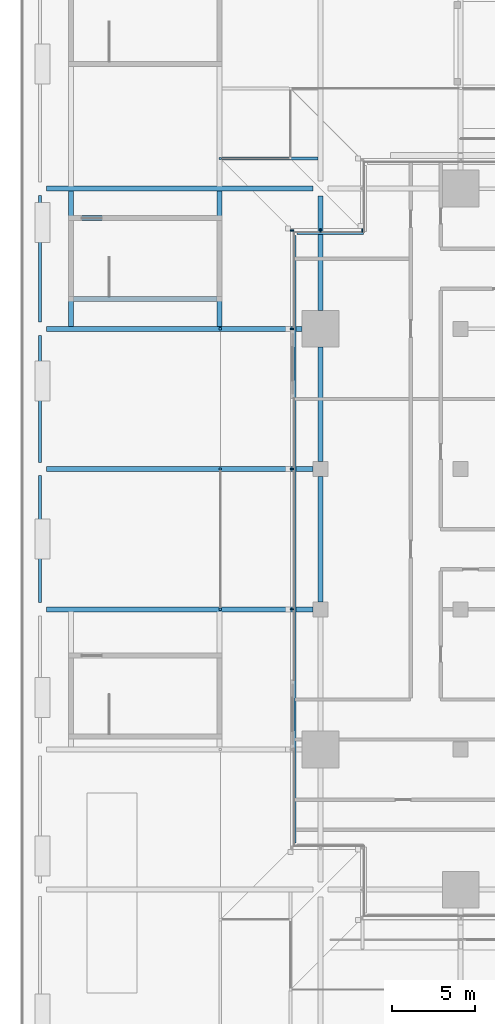
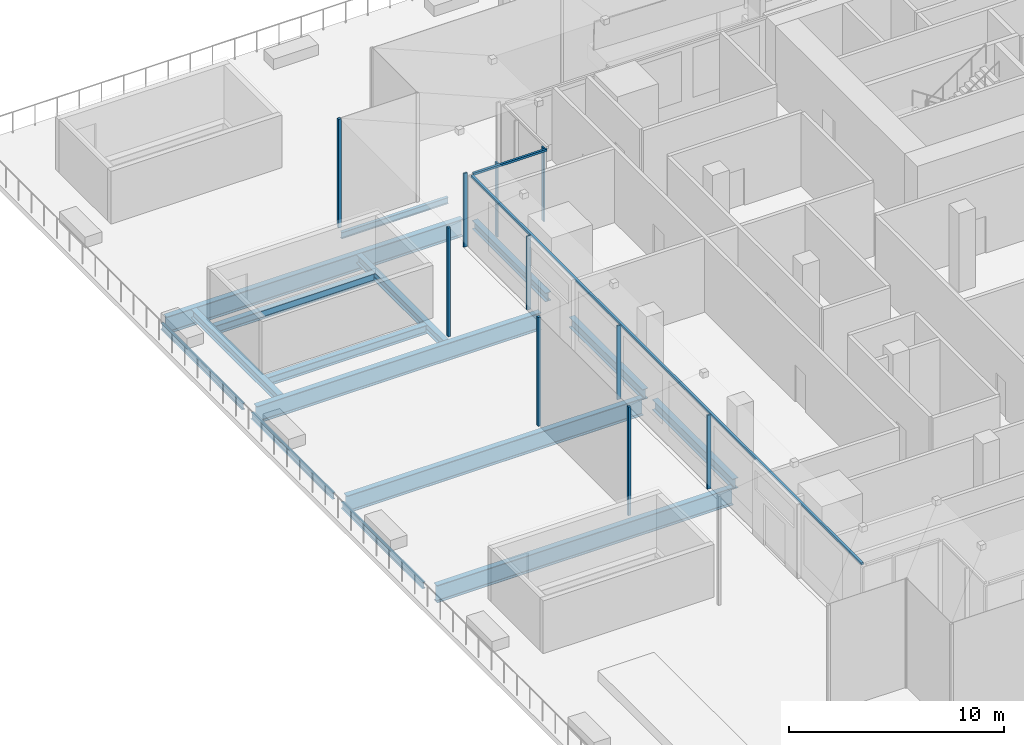
# One storey, part 7 of 60: 15 beams, 12 members, 2 elements without a shape of their own.
"""IFC4 building model written with IfcOpenShell, lengths in metres."""

from ifc_helpers import new_model, si_unit, direction, frame, origin, origin_2d, place, context, subcontext, project, spatial, rectangle, i_section, extrude, material, material_profile, profile_set, type_object, element, aggregate, save


model = new_model("IFC4")

# Units and contexts
model_context = context("Model", 3, precision=1e-05, world=origin(), true_north=direction((0.0, 1.0)))
body_context = subcontext(model_context, "Body", "Model", "MODEL_VIEW")
ifc_project = project(units=[si_unit("LENGTHUNIT", "METRE"), si_unit("AREAUNIT", "SQUARE_METRE"), si_unit("VOLUMEUNIT", "CUBIC_METRE"), si_unit("PLANEANGLEUNIT", "RADIAN"), si_unit("MASSUNIT", "GRAM", prefix="KILO")], contexts=[model_context])

# Site, building, storey
site_placement = place(None, origin())
site = spatial("IfcSite", under=ifc_project, at=site_placement, CompositionType="ELEMENT")
building_placement = place(site_placement, origin())
building = spatial("IfcBuilding", under=site, at=building_placement, Name="Saffron Gate Tower", CompositionType="ELEMENT")
storey_placement = place(building_placement, frame((0.0, 0.0, 19.199951171875)))
storey = spatial("IfcBuildingStorey", under=building, at=storey_placement, Name="L03", CompositionType="ELEMENT", Elevation=19.199951171875)

# Beams
ifc_material_1 = material(Name="Structural steel S355", Category="steel")
ifc_material_profile_1 = material_profile(ifc_material_1, i_section(OverallWidth=0.169921875, OverallDepth=0.360107421875, WebThickness=0.008056640625, FlangeThickness=0.0126953125, FilletRadius=0.01806640625, at=origin_2d()))
ifc_profile_set_1 = profile_set([ifc_material_profile_1], Name="Structural steel S355")
beam_type_1 = type_object("IfcBeamType", Name="B1 IPE 360", PredefinedType="BEAM", material=ifc_profile_set_1)
for number, where, z_axis, x_axis, name in (
    (1, (33.0, 49.0, -0.47998046875), (0.0, 1.0, 0.0), (-1.0, 0.0, 0.0), "B1 PODIUM EDGE BEAM"),
    (2, (33.0, 57.39990234375, -0.47998046875), (0.0, 1.0, 0.0), (-1.0, 0.0, 0.0), "B1 PODIUM EDGE BEAM"),
):
    element("IfcBeam", number, at=place(storey_placement, frame(where, z_axis=z_axis, x_axis=x_axis)), inside=storey, type_object=beam_type_1, Name=name, PredefinedType="BEAM", context=body_context, shape_type="SweptSolid", body=[
        extrude(i_section(OverallWidth=0.169921875, OverallDepth=0.360107421875, WebThickness=0.008056640625, FlangeThickness=0.0126953125, FilletRadius=0.01806640625, at=origin_2d()), origin(), (0.0, 0.0, 1.0), 7.60009765625),
    ])
beam_1_placement = place(storey_placement, frame((33.0, 65.800048828125, -0.47998046875), z_axis=(0.0, 1.0, 0.0), x_axis=(-1.0, 0.0, 0.0)))
element("IfcBeam", 3, at=beam_1_placement, inside=storey, type_object=beam_type_1, Name="B1 PODIUM EDGE BEAM", PredefinedType="BEAM", context=body_context, shape_type="SweptSolid", body=[
    extrude(i_section(OverallWidth=0.169921875, OverallDepth=0.360107421875, WebThickness=0.008056640625, FlangeThickness=0.0126953125, FilletRadius=0.01806640625, at=origin_2d()), origin(), (0.0, 0.0, 1.0), 7.599853515625),
])
ifc_material_profile_2 = material_profile(ifc_material_1, i_section(OverallWidth=0.300048828125, OverallDepth=0.590087890625, WebThickness=0.012939453125, FlangeThickness=0.02490234375, FilletRadius=0.027099609375, at=origin_2d()))
ifc_profile_set_2 = profile_set([ifc_material_profile_2], Name="Structural steel S355")
beam_type_2 = type_object("IfcBeamType", Name="B14 HEA 600", PredefinedType="SPANDREL", material=ifc_profile_set_2)
beam_2_placement = place(storey_placement, frame((49.800048828125, 49.050048828125, -0.594970703125), z_axis=(0.0, 1.0, 0.0), x_axis=(-1.0, 0.0, 0.0)))
element("IfcBeam", 4, at=beam_2_placement, inside=storey, type_object=beam_type_2, Name="B14 SPANDREL BEAM", PredefinedType="SPANDREL", context=body_context, shape_type="SweptSolid", body=[
    extrude(i_section(OverallWidth=0.300048828125, OverallDepth=0.590087890625, WebThickness=0.012939453125, FlangeThickness=0.02490234375, FilletRadius=0.027099609375, at=origin_2d()), origin(), (0.0, 0.0, 1.0), 7.5),
])
beam_3_placement = place(storey_placement, frame((49.800048828125, 57.449951171875, -0.594970703125), z_axis=(0.0, 1.0, 0.0), x_axis=(-1.0, 0.0, 0.0)))
element("IfcBeam", 5, at=beam_3_placement, inside=storey, type_object=beam_type_2, Name="B14 SPANDREL BEAM", PredefinedType="SPANDREL", context=body_context, shape_type="SweptSolid", body=[
    extrude(i_section(OverallWidth=0.300048828125, OverallDepth=0.590087890625, WebThickness=0.012939453125, FlangeThickness=0.02490234375, FilletRadius=0.027099609375, at=origin_2d()), origin(), (0.0, 0.0, 1.0), 6.85009765625),
])
ifc_material_profile_3 = material_profile(ifc_material_1, i_section(OverallWidth=0.300048828125, OverallDepth=0.989990234375, WebThickness=0.0166015625, FlangeThickness=0.031005859375, FilletRadius=0.030029296875, at=origin_2d()))
ifc_profile_set_3 = profile_set([ifc_material_profile_3], Name="Structural steel S355")
beam_type_3 = type_object("IfcBeamType", Name="B21 HEA 1000", PredefinedType="BEAM", material=ifc_profile_set_3)
for number, where, z_axis, x_axis, name in (
    (6, (33.39990234375, 48.60009765625, -0.794921875), (1.0, 0.0, 0.0), (0.0, 1.0, 0.0), "B21 PODIUM RING GIRDER"),
    (7, (33.39990234375, 57.0, -0.794921875), (1.0, 0.0, 0.0), (0.0, 1.0, 0.0), "B21 PODIUM RING GIRDER"),
):
    element("IfcBeam", number, at=place(storey_placement, frame(where, z_axis=z_axis, x_axis=x_axis)), inside=storey, type_object=beam_type_3, Name=name, PredefinedType="BEAM", context=body_context, shape_type="SweptSolid", body=[
        extrude(i_section(OverallWidth=0.300048828125, OverallDepth=0.989990234375, WebThickness=0.0166015625, FlangeThickness=0.031005859375, FilletRadius=0.030029296875, at=origin_2d()), origin(), (0.0, 0.0, 1.0), 15.9501953125),
    ])
beam_4_placement = place(storey_placement, frame((33.39990234375, 65.39990234375, -0.794921875), z_axis=(1.0, 0.0, 0.0), x_axis=(0.0, 1.0, 0.0)))
element("IfcBeam", 8, at=beam_4_placement, inside=storey, type_object=beam_type_3, Name="B21 PODIUM RING GIRDER", PredefinedType="BEAM", context=body_context, shape_type="SweptSolid", body=[
    extrude(i_section(OverallWidth=0.300048828125, OverallDepth=0.989990234375, WebThickness=0.0166015625, FlangeThickness=0.031005859375, FilletRadius=0.030029296875, at=origin_2d()), origin(), (0.0, 0.0, 1.0), 15.300048828125),
])
beam_5_placement = place(storey_placement, frame((33.39990234375, 73.800048828125, -0.794921875), z_axis=(1.0, 0.0, 0.0), x_axis=(0.0, 1.0, 0.0)))
element("IfcBeam", 9, at=beam_5_placement, inside=storey, type_object=beam_type_3, Name="B21 PODIUM RING GIRDER", PredefinedType="BEAM", context=body_context, shape_type="SweptSolid", body=[
    extrude(i_section(OverallWidth=0.300048828125, OverallDepth=0.989990234375, WebThickness=0.0166015625, FlangeThickness=0.031005859375, FilletRadius=0.030029296875, at=origin_2d()), origin(), (0.0, 0.0, 1.0), 15.9501953125),
])
ifc_material_profile_4 = material_profile(ifc_material_1, i_section(OverallWidth=0.300048828125, OverallDepth=0.489990234375, WebThickness=0.011962890625, FlangeThickness=0.02294921875, FilletRadius=0.027099609375, at=origin_2d()))
ifc_profile_set_4 = profile_set([ifc_material_profile_4], Name="Structural steel S355")
beam_type_4 = type_object("IfcBeamType", Name="B8 HEA 500", PredefinedType="BEAM", material=ifc_profile_set_4)
beam_6_placement = place(storey_placement, frame((49.800048828125, 66.5, -0.544921875), z_axis=(0.0, 1.0, 0.0), x_axis=(-1.0, 0.0, 0.0)))
element("IfcBeam", 10, at=beam_6_placement, inside=storey, type_object=beam_type_4, Name="B8 TERRACE BEAM", PredefinedType="BEAM", context=body_context, shape_type="SweptSolid", body=[
    extrude(i_section(OverallWidth=0.300048828125, OverallDepth=0.489990234375, WebThickness=0.011962890625, FlangeThickness=0.02294921875, FilletRadius=0.027099609375, at=origin_2d()), origin(), (0.0, 0.0, 1.0), 6.85009765625),
])
ifc_material_profile_5 = material_profile(ifc_material_1, i_section(OverallWidth=0.300048828125, OverallDepth=0.5, WebThickness=0.014404296875, FlangeThickness=0.028076171875, FilletRadius=0.027099609375, at=origin_2d()))
ifc_profile_set_5 = profile_set([ifc_material_profile_5], Name="Structural steel S355")
beam_type_5 = type_object("IfcBeamType", Name="B9 HEB 500", PredefinedType="BEAM", material=ifc_profile_set_5)
for number, where, z_axis, x_axis, name in (
    (11, (34.85009765625, 65.5400390625, -0.550048828125), (0.0, 1.0, 0.0), (-1.0, 0.0, 0.0), "B9 STAIR ENCLOSURE HEADER BEAM"),
    (12, (43.75, 65.5400390625, -0.550048828125), (0.0, 1.0, 0.0), (-1.0, 0.0, 0.0), "B9 STAIR ENCLOSURE HEADER BEAM"),
):
    element("IfcBeam", number, at=place(storey_placement, frame(where, z_axis=z_axis, x_axis=x_axis)), inside=storey, type_object=beam_type_5, Name=name, PredefinedType="BEAM", context=body_context, shape_type="SweptSolid", body=[
        extrude(i_section(OverallWidth=0.300048828125, OverallDepth=0.5, WebThickness=0.014404296875, FlangeThickness=0.028076171875, FilletRadius=0.027099609375, at=origin_2d()), origin(), (0.0, 0.0, 1.0), 8.119873046875),
    ])
for number, where, z_axis, x_axis, name in (
    (13, (34.989990234375, 67.175048828125, -0.550048828125), (1.0, 0.0, 0.0), (0.0, 1.0, 0.0), "B9 STAIR ENCLOSURE TRIMMER BEAM"),
    (14, (34.989990234375, 72.02490234375, -0.550048828125), (1.0, 0.0, 0.0), (0.0, 1.0, 0.0), "B9 STAIR ENCLOSURE TRIMMER BEAM"),
):
    element("IfcBeam", number, at=place(storey_placement, frame(where, z_axis=z_axis, x_axis=x_axis)), inside=storey, type_object=beam_type_5, Name=name, PredefinedType="BEAM", context=body_context, shape_type="SweptSolid", body=[
        extrude(i_section(OverallWidth=0.300048828125, OverallDepth=0.5, WebThickness=0.014404296875, FlangeThickness=0.028076171875, FilletRadius=0.027099609375, at=origin_2d()), origin(), (0.0, 0.0, 1.0), 8.6201171875),
    ])

# Curtain wall, member
ifc_material_2 = material(Name="Aluminium, bronze anodised", Category="aluminium")
curtain_wall_type = type_object("IfcCurtainWallType", Name="CWS6 curtain wall tall storeys", PredefinedType="NOTDEFINED", material=ifc_material_2)
curtain_wall_1_placement = place(storey_placement, origin())
curtain_wall_1 = element("IfcCurtainWall", 15, at=curtain_wall_1_placement, inside=storey, type_object=curtain_wall_type, Name="CWS6 run 9", PredefinedType="NOTDEFINED")
ifc_material_profile_6 = material_profile(ifc_material_2, rectangle(XDim=0.1201171875, YDim=0.1201171875, at=origin_2d()))
ifc_profile_set_6 = profile_set([ifc_material_profile_6], Name="Aluminium, bronze anodised")
member_type_1 = type_object("IfcMemberType", Name="CWS6 head transom", PredefinedType="USERDEFINED", material=ifc_profile_set_6)
member_1_placement = place(storey_placement, frame((52.367919921875, 71.112060546875, 4.14013671875), z_axis=(-1.0, 0.0, 0.0), x_axis=(0.0, -1.0, 0.0)))
member_1 = element("IfcMember", 16, at=member_1_placement, type_object=member_type_1, Name="CWS6 head transom", ObjectType="TRANSOM", PredefinedType="USERDEFINED", context=body_context, shape_type="SweptSolid", body=[
    extrude(rectangle(XDim=0.1201171875, YDim=0.1201171875, at=origin_2d()), origin(), (0.0, 0.0, 1.0), 3.9599609375),
])

curtain_wall_2_placement = place(storey_placement, origin())
curtain_wall_2 = element("IfcCurtainWall", 17, at=curtain_wall_2_placement, inside=storey, type_object=curtain_wall_type, Name="CWS6 run 10", PredefinedType="NOTDEFINED")
member_2_placement = place(storey_placement, frame((48.2880859375, 70.991943359375, 4.14013671875), z_axis=(0.0, -1.0, 0.0), x_axis=(1.0, 0.0, 0.0)))
member_2 = element("IfcMember", 18, at=member_2_placement, type_object=member_type_1, Name="CWS6 head transom", ObjectType="TRANSOM", PredefinedType="USERDEFINED", context=body_context, shape_type="SweptSolid", body=[
    extrude(rectangle(XDim=0.1201171875, YDim=0.1201171875, at=origin_2d()), origin(), (0.0, 0.0, 1.0), 36.384033203125),
])

# Member
ifc_material_profile_7 = material_profile(ifc_material_2, rectangle(XDim=0.199951171875, YDim=0.080078125, at=origin_2d()))
ifc_profile_set_7 = profile_set([ifc_material_profile_7], Name="Aluminium, bronze anodised")
member_type_2 = type_object("IfcMemberType", Name="CWS6 mullion 80x200", PredefinedType="MULLION", material=ifc_profile_set_7)
member_3_placement = place(storey_placement, frame((52.300048828125, 71.300048828125, 0.0), z_axis=(0.0, 0.0, 1.0), x_axis=(0.0, -1.0, 0.0)))
member_3 = element("IfcMember", 19, at=member_3_placement, type_object=member_type_2, Name="CWS6 mullion 1", PredefinedType="MULLION", context=body_context, shape_type="SweptSolid", body=[
    extrude(rectangle(XDim=0.199951171875, YDim=0.080078125, at=origin_2d()), origin(), (0.0, 0.0, 1.0), 4.199951171875),
])

member_4_placement = place(storey_placement, frame((49.800048828125, 71.300048828125, 0.0), z_axis=(0.0, 0.0, 1.0), x_axis=(0.0, -1.0, 0.0)))
member_4 = element("IfcMember", 20, at=member_4_placement, type_object=member_type_2, Name="CWS6 mullion 2", PredefinedType="MULLION", context=body_context, shape_type="SweptSolid", body=[
    extrude(rectangle(XDim=0.199951171875, YDim=0.080078125, at=origin_2d()), origin(), (0.0, 0.0, 1.0), 4.199951171875),
])

aggregate(curtain_wall_1, [member_3, member_4, member_1])

member_5_placement = place(storey_placement, frame((48.10009765625, 71.300048828125, 0.0), z_axis=(0.0, 0.0, 1.0), x_axis=(1.0, 0.0, 0.0)))
member_5 = element("IfcMember", 21, at=member_5_placement, type_object=member_type_2, Name="CWS6 mullion 1", PredefinedType="MULLION", context=body_context, shape_type="SweptSolid", body=[
    extrude(rectangle(XDim=0.199951171875, YDim=0.080078125, at=origin_2d()), origin(), (0.0, 0.0, 1.0), 4.199951171875),
])

member_6_placement = place(storey_placement, frame((48.10009765625, 65.39990234375, 0.0), z_axis=(0.0, 0.0, 1.0), x_axis=(1.0, 0.0, 0.0)))
member_6 = element("IfcMember", 22, at=member_6_placement, type_object=member_type_2, Name="CWS6 mullion 2", PredefinedType="MULLION", context=body_context, shape_type="SweptSolid", body=[
    extrude(rectangle(XDim=0.199951171875, YDim=0.080078125, at=origin_2d()), origin(), (0.0, 0.0, 1.0), 4.199951171875),
])

member_7_placement = place(storey_placement, frame((48.10009765625, 57.0, 0.0), z_axis=(0.0, 0.0, 1.0), x_axis=(1.0, 0.0, 0.0)))
member_7 = element("IfcMember", 23, at=member_7_placement, type_object=member_type_2, Name="CWS6 mullion 3", PredefinedType="MULLION", context=body_context, shape_type="SweptSolid", body=[
    extrude(rectangle(XDim=0.199951171875, YDim=0.080078125, at=origin_2d()), origin(), (0.0, 0.0, 1.0), 4.199951171875),
])

member_8_placement = place(storey_placement, frame((48.10009765625, 48.60009765625, 0.0), z_axis=(0.0, 0.0, 1.0), x_axis=(1.0, 0.0, 0.0)))
member_8 = element("IfcMember", 24, at=member_8_placement, type_object=member_type_2, Name="CWS6 mullion 4", PredefinedType="MULLION", context=body_context, shape_type="SweptSolid", body=[
    extrude(rectangle(XDim=0.199951171875, YDim=0.080078125, at=origin_2d()), origin(), (0.0, 0.0, 1.0), 4.199951171875),
])

aggregate(curtain_wall_2, [member_5, member_6, member_7, member_8, member_2])

# Members
ifc_material_profile_8 = material_profile(ifc_material_1, rectangle(XDim=0.139892578125, YDim=0.139892578125, at=origin_2d()))
ifc_profile_set_8 = profile_set([ifc_material_profile_8], Name="Structural steel S355")
member_type_3 = type_object("IfcMemberType", Name="HL1 hall post", PredefinedType="POST", material=ifc_profile_set_8)
for number, where, z_axis, x_axis, name in (
    (25, (43.800048828125, 48.60009765625, 0.0), (0.0, 0.0, 1.0), (1.0, 0.0, 0.0), "HALL POST"),
    (26, (43.800048828125, 57.0, 0.0), (0.0, 0.0, 1.0), (1.0, 0.0, 0.0), "HALL POST"),
    (27, (43.800048828125, 65.39990234375, 0.0), (0.0, 0.0, 1.0), (1.0, 0.0, 0.0), "HALL POST"),
    (28, (43.800048828125, 75.60009765625, 0.0), (0.0, 0.0, 1.0), (1.0, 0.0, 0.0), "HALL POST"),
):
    element("IfcMember", number, at=place(storey_placement, frame(where, z_axis=z_axis, x_axis=x_axis)), inside=storey, type_object=member_type_3, Name=name, PredefinedType="POST", context=body_context, shape_type="SweptSolid", body=[
        extrude(rectangle(XDim=0.139892578125, YDim=0.139892578125, at=origin_2d()), origin(), (0.0, 0.0, 1.0), 6.18994140625),
    ])

# Beam
ifc_material_profile_9 = material_profile(ifc_material_1, i_section(OverallWidth=0.169921875, OverallDepth=0.360107421875, WebThickness=0.008056640625, FlangeThickness=0.0126953125, FilletRadius=0.01806640625, at=origin_2d()))
ifc_profile_set_9 = profile_set([ifc_material_profile_9], Name="Structural steel S355")
beam_type_6 = type_object("IfcBeamType", Name="HL5 hall kerb beam", PredefinedType="BEAM", material=ifc_profile_set_9)
beam_7_placement = place(storey_placement, frame((43.89990234375, 75.60009765625, -0.47998046875), z_axis=(1.0, 0.0, 0.0), x_axis=(0.0, 1.0, 0.0)))
element("IfcBeam", 29, at=beam_7_placement, inside=storey, type_object=beam_type_6, Name="HALL KERB BEAM", PredefinedType="BEAM", context=body_context, shape_type="SweptSolid", body=[
    extrude(i_section(OverallWidth=0.169921875, OverallDepth=0.360107421875, WebThickness=0.008056640625, FlangeThickness=0.0126953125, FilletRadius=0.01806640625, at=origin_2d()), origin(), (0.0, 0.0, 1.0), 5.75),
])

save(model, "model.ifc")
